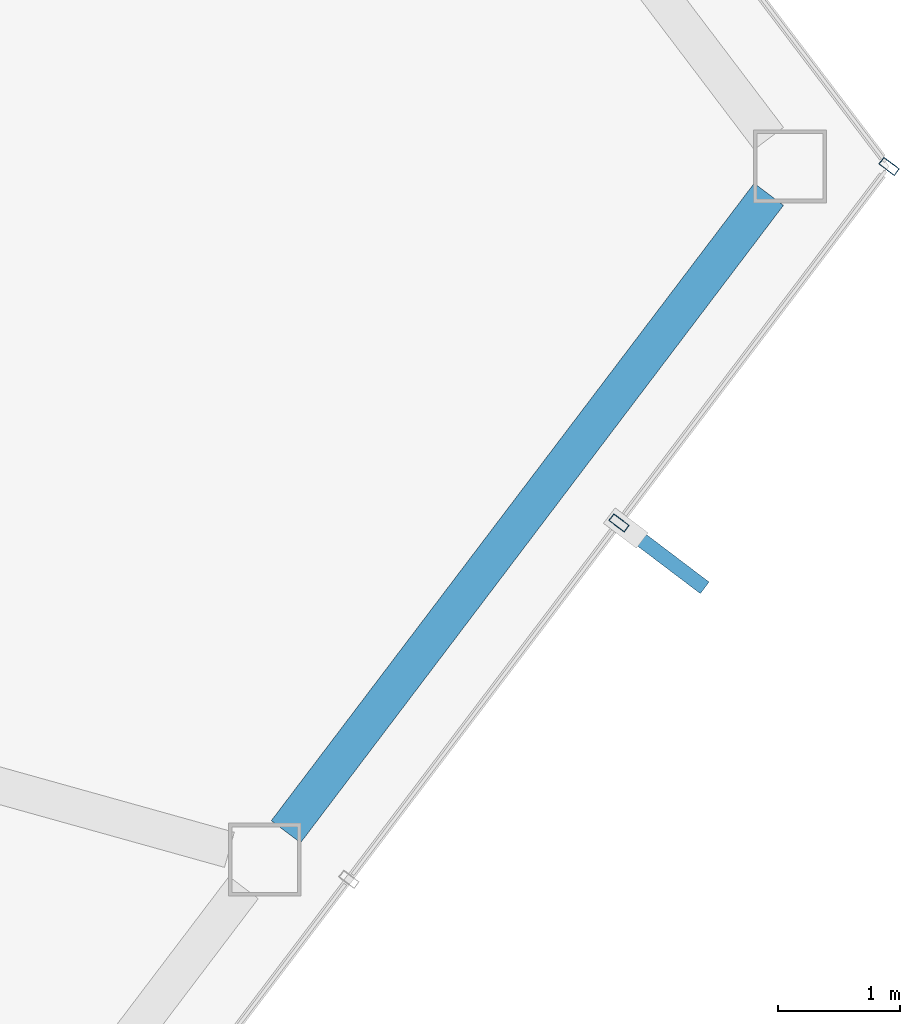
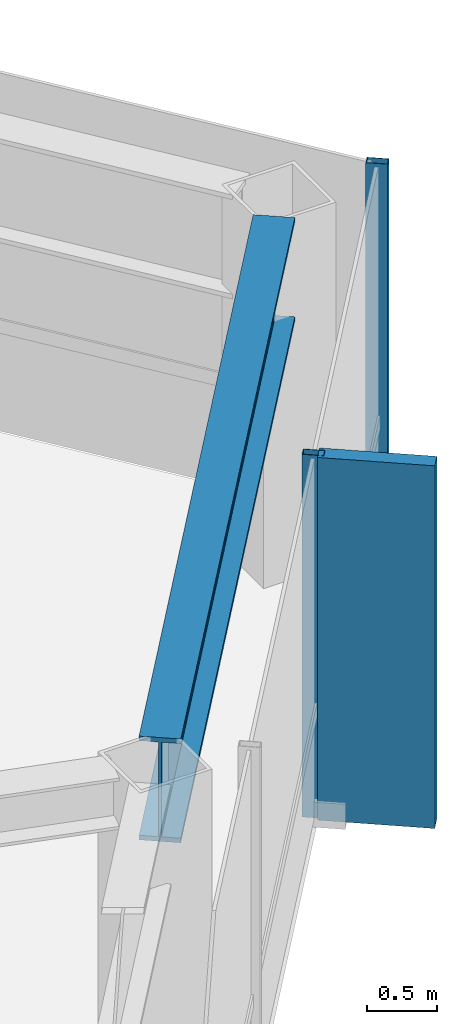
# One storey, part 18 of 25: 3 members, 1 beam, 1 element without a shape of its own.
"""IFC4 building model written with IfcOpenShell, lengths in metres."""

from ifc_helpers import new_model, si_unit, direction, frame, origin, origin_2d, place, context, subcontext, project, spatial, rectangle, hollow_rectangle, i_section, extrude, material, layer, layer_set, material_profile, profile_set, type_object, element, aggregate, save


model = new_model("IFC4")

# Units and contexts
model_context = context("Model", 3, precision=1e-05, world=origin(), true_north=direction((0.0, 1.0)))
body_context = subcontext(model_context, "Body", "Model", "MODEL_VIEW")
ifc_project = project(units=[si_unit("LENGTHUNIT", "METRE"), si_unit("AREAUNIT", "SQUARE_METRE"), si_unit("VOLUMEUNIT", "CUBIC_METRE"), si_unit("PLANEANGLEUNIT", "RADIAN"), si_unit("MASSUNIT", "GRAM", prefix="KILO")], contexts=[model_context])

# Site, building, storey
site_placement = place(None, origin())
site = spatial("IfcSite", under=ifc_project, at=site_placement, CompositionType="ELEMENT")
building_placement = place(site_placement, origin())
building = spatial("IfcBuilding", under=site, at=building_placement, Name="Zarrinselat Tower", CompositionType="ELEMENT")
storey_placement = place(building_placement, frame((0.0, 0.0, 239.360107421875)))
storey = spatial("IfcBuildingStorey", under=building, at=storey_placement, Name="L60", CompositionType="ELEMENT", Elevation=239.360107421875)

# Beam
ifc_material_1 = material(Name="Steel S460M", Category="steel")
ifc_material_profile_1 = material_profile(ifc_material_1, i_section(OverallWidth=0.302001953125, OverallDepth=0.909912109375, WebThickness=0.02099609375, FlangeThickness=0.0400390625, at=origin_2d()), Name="HEM 900")
ifc_profile_set_1 = profile_set([ifc_material_profile_1], Name="Steel S460M")
beam_type = type_object("IfcBeamType", Name="BM-HEM900", PredefinedType="BEAM", material=ifc_profile_set_1)
beam_placement = place(storey_placement, frame((56.673828125, 36.555908203125, 2.724853515625), z_axis=(0.603869116495, 0.797083490071, 0.0), x_axis=(-0.797083490071, 0.603869116495, 0.0)))
element("IfcBeam", 1, at=beam_placement, inside=storey, type_object=beam_type, Name="L60 Perimeter Spandrel Girder SP14", PredefinedType="BEAM", context=body_context, shape_type="SweptSolid", body=[
    extrude(i_section(OverallWidth=0.302001953125, OverallDepth=0.909912109375, WebThickness=0.02099609375, FlangeThickness=0.0400390625, at=origin_2d()), origin(), (0.0, 0.0, 1.0), 6.580810546875),
])

# Curtain wall, members
ifc_material_2 = material(Name="Extruded Aluminium Alloy EN AW-6063 T6", Category="aluminium")
ifc_layer = layer(ifc_material_2, 0.169921875)
ifc_layer_set = layer_set([ifc_layer], Name="Extruded Aluminium Alloy EN AW-6063 T6")
curtain_wall_type = type_object("IfcCurtainWallType", Name="CWS-RES", PredefinedType="NOTDEFINED", material=ifc_layer_set)
curtain_wall_placement = place(storey_placement, origin())
curtain_wall = element("IfcCurtainWall", 2, at=curtain_wall_placement, inside=storey, type_object=curtain_wall_type, Name="L60 Unitised Curtain Wall CW-L60-E05", PredefinedType="NOTDEFINED")
ifc_material_3 = material(Name="Extruded Aluminium Alloy EN AW-6063 T6", Category="aluminium")
ifc_material_profile_2 = material_profile(ifc_material_3, hollow_rectangle(XDim=0.070068359375, YDim=0.159912109375, WallThickness=0.00390625, at=origin_2d()), Name="RHS 160x70x4")
ifc_profile_set_2 = profile_set([ifc_material_profile_2], Name="Extruded Aluminium Alloy EN AW-6063 T6")
member_type_1 = type_object("IfcMemberType", Name="MEM-CW-MUL2", PredefinedType="MULLION", material=ifc_profile_set_2)
member_1_placement = place(storey_placement, frame((59.414794921875, 39.097412109375, 0.0), z_axis=(0.0, 0.0, 1.0), x_axis=(0.603858472709, 0.797091553674, 0.0)))
member_1 = element("IfcMember", 3, at=member_1_placement, type_object=member_type_1, Name="CW-L60-E05 Mullion 7", PredefinedType="MULLION", context=body_context, shape_type="SweptSolid", body=[
    extrude(hollow_rectangle(XDim=0.070068359375, YDim=0.159912109375, WallThickness=0.00390625, at=origin_2d()), origin(), (0.0, 0.0, 1.0), 3.179931640625),
])
member_2_placement = place(storey_placement, frame((61.63720703125, 42.03076171875, 0.0), z_axis=(0.0, 0.0, 1.0), x_axis=(0.603858472709, 0.797091553674, 0.0)))
member_2 = element("IfcMember", 4, at=member_2_placement, type_object=member_type_1, Name="CW-L60-E05 Mullion 8", PredefinedType="MULLION", context=body_context, shape_type="SweptSolid", body=[
    extrude(hollow_rectangle(XDim=0.070068359375, YDim=0.159912109375, WallThickness=0.00390625, at=origin_2d()), origin(), (0.0, 0.0, 1.0), 3.179931640625),
])
ifc_material_4 = material(Name="Honed Cream Travertine Stone", Category="masonry")
ifc_material_profile_3 = material_profile(ifc_material_4, rectangle(XDim=0.1201171875, YDim=0.85009765625, at=origin_2d()), Name="FIN 850x120")
ifc_profile_set_3 = profile_set([ifc_material_profile_3], Name="Honed Cream Travertine Stone")
member_type_2 = type_object("IfcMemberType", Name="MEM-STONE-FIN", PredefinedType="USERDEFINED", material=ifc_profile_set_3)
member_3_placement = place(storey_placement, frame((59.781494140625, 38.819580078125, 0.0), z_axis=(0.0, 0.0, 1.0), x_axis=(-0.603858472709, -0.797091553674, 0.0)))
member_3 = element("IfcMember", 5, at=member_3_placement, type_object=member_type_2, Name="L60 Stone Shading Fin CW-L60-E05-07", ObjectType="FIN", PredefinedType="USERDEFINED", context=body_context, shape_type="SweptSolid", body=[
    extrude(rectangle(XDim=0.1201171875, YDim=0.85009765625, at=origin_2d()), origin(), (0.0, 0.0, 1.0), 3.179931640625),
])
aggregate(curtain_wall, [member_1, member_3, member_2])

save(model, "model.ifc")
